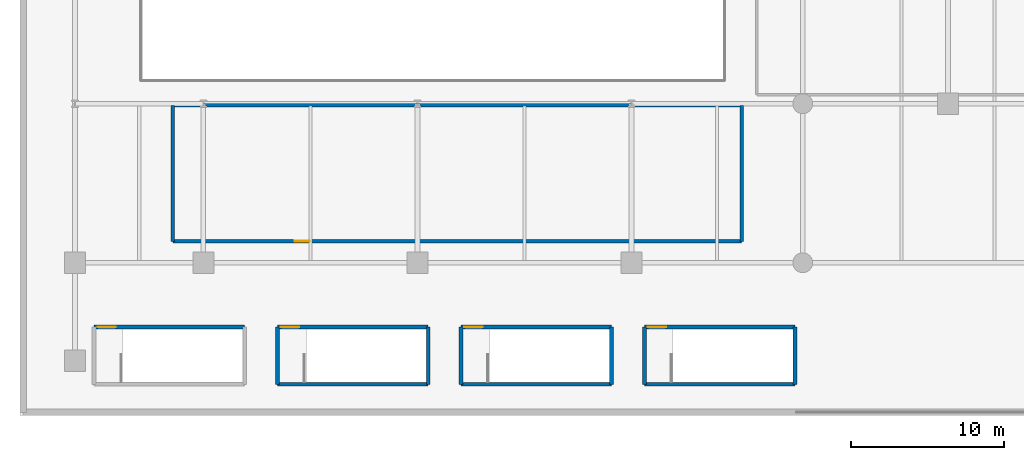
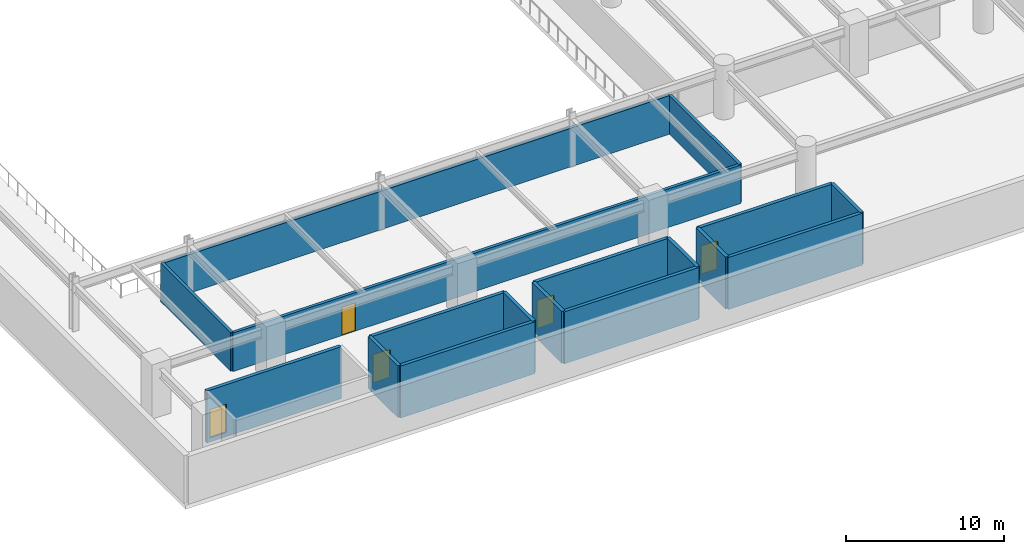
# One storey, part 8 of 20: 17 walls, 5 doors, 5 openings.
"""IFC4 building model written with IfcOpenShell, lengths in metres."""

from ifc_helpers import new_model, si_unit, direction, frame, frame_2d, origin, place, context, subcontext, project, spatial, rectangle, extrude, material, layer, layer_set, type_object, element, fill, save


model = new_model("IFC4")

# Units and contexts
model_context = context("Model", 3, precision=1e-05, world=origin(), true_north=direction((0.0, 1.0)))
body_context = subcontext(model_context, "Body", "Model", "MODEL_VIEW")
ifc_project = project(units=[si_unit("LENGTHUNIT", "METRE"), si_unit("AREAUNIT", "SQUARE_METRE"), si_unit("VOLUMEUNIT", "CUBIC_METRE"), si_unit("PLANEANGLEUNIT", "RADIAN"), si_unit("MASSUNIT", "GRAM", prefix="KILO")], contexts=[model_context])

# Site, building, storey
site_placement = place(None, origin())
site = spatial("IfcSite", under=ifc_project, at=site_placement, CompositionType="ELEMENT")
building_placement = place(site_placement, origin())
building = spatial("IfcBuilding", under=site, at=building_placement, Name="Narakoshi Arena Tower", CompositionType="ELEMENT")
storey_placement = place(building_placement, frame((0.0, 0.0, 17.39990234375)))
storey = spatial("IfcBuildingStorey", under=building, at=storey_placement, Name="L04", CompositionType="ELEMENT", Elevation=17.39990234375)

# Wall, opening, door
ifc_material_1 = material(Name="Concrete C40/50", Category="concrete")
ifc_layer_1 = layer(ifc_material_1, 0.219970703125)
ifc_layer_set_1 = layer_set([ifc_layer_1], Name="Concrete C40/50")
wall_type_1 = type_object("IfcWallType", Name="WL-COMP-220", PredefinedType="SOLIDWALL", material=ifc_layer_set_1)
wall_1_placement = place(storey_placement, frame((10.0, 11.39990234375, 0.0), z_axis=(0.0, 0.0, 1.0), x_axis=(1.0, 0.0, 0.0)))
wall_1 = element("IfcWall", 1, at=wall_1_placement, inside=storey, type_object=wall_type_1, Name="L04 Broadcast Technical Control Workplace Wall S", PredefinedType="SOLIDWALL", context=body_context, shape_type="SweptSolid", body=[
    extrude(rectangle(XDim=37.199951171875, YDim=0.219970703125, at=frame_2d((18.60009765625, 0.0))), origin(), (0.0, 0.0, 1.0), 2.985107421875),
])
opening_1_placement = place(wall_1_placement, frame((7.964111328125, 0.0, 0.0)))
opening_1 = element("IfcOpeningElement", 2, at=opening_1_placement, cuts=wall_1, Name="Opening D-06", PredefinedType="OPENING", context=body_context, shape_type="SweptSolid", body=[
    extrude(rectangle(XDim=1.0, YDim=2.199951171875, at=frame_2d((0.5, 1.10009765625))), frame((0.0, 0.119873046875, 0.0), z_axis=(0.0, -1.0, 0.0), x_axis=(1.0, 0.0, 0.0)), (0.0, 0.0, 1.0), 0.239990234375),
])
ifc_material_2 = material(Name="Stained oak solid-core timber", Category="wood")
door_type_1 = type_object("IfcDoorType", Name="DR-OFF-1000", OperationType="NOTDEFINED", PredefinedType="DOOR", material=ifc_material_2)
door_1_placement = place(opening_1_placement, frame((1.0, 0.0, 0.0), z_axis=(0.0, 0.0, 1.0), x_axis=(-1.0, 0.0, 0.0)))
door_1 = element("IfcDoor", 3, at=door_1_placement, inside=storey, type_object=door_type_1, Name="DR-L04-026", OperationType="SINGLE_SWING_LEFT", OverallHeight=2.199951171875, OverallWidth=1.0, PredefinedType="DOOR", context=body_context, shape_type="SweptSolid", body=[
    extrude(rectangle(XDim=1.0, YDim=2.199951171875, at=frame_2d((0.5, 1.10009765625))), frame((0.0, 0.02490234375, 0.0), z_axis=(0.0, -1.0, 0.0), x_axis=(1.0, 0.0, 0.0)), (0.0, 0.0, 1.0), 0.050048828125),
])
fill(opening_1, door_1)

# Walls
wall_2_placement = place(storey_placement, frame((47.199951171875, 11.39990234375, 0.0), z_axis=(0.0, 0.0, 1.0), x_axis=(0.0, 1.0, 0.0)))
element("IfcWall", 4, at=wall_2_placement, inside=storey, type_object=wall_type_1, Name="L04 Broadcast Technical Control Workplace Wall E", PredefinedType="SOLIDWALL", context=body_context, shape_type="SweptSolid", body=[
    extrude(rectangle(XDim=8.900146484375, YDim=0.219970703125, at=frame_2d((4.4501953125, 0.0))), origin(), (0.0, 0.0, 1.0), 2.985107421875),
])
wall_3_placement = place(storey_placement, frame((47.199951171875, 20.300048828125, 0.0), z_axis=(0.0, 0.0, 1.0), x_axis=(-1.0, 0.0, 0.0)))
element("IfcWall", 5, at=wall_3_placement, inside=storey, type_object=wall_type_1, Name="L04 Broadcast Technical Control Workplace Wall N", PredefinedType="SOLIDWALL", context=body_context, shape_type="SweptSolid", body=[
    extrude(rectangle(XDim=37.199951171875, YDim=0.219970703125, at=frame_2d((18.60009765625, 0.0))), origin(), (0.0, 0.0, 1.0), 2.985107421875),
])
wall_4_placement = place(storey_placement, frame((10.0, 20.300048828125, 0.0), z_axis=(0.0, 0.0, 1.0), x_axis=(0.0, -1.0, 0.0)))
element("IfcWall", 6, at=wall_4_placement, inside=storey, type_object=wall_type_1, Name="L04 Broadcast Technical Control Workplace Wall W", PredefinedType="SOLIDWALL", context=body_context, shape_type="SweptSolid", body=[
    extrude(rectangle(XDim=8.900146484375, YDim=0.219970703125, at=frame_2d((4.4501953125, 0.0))), origin(), (0.0, 0.0, 1.0), 2.985107421875),
])

# Wall, opening, door
ifc_material_3 = material(Name="Concrete C50/60", Category="concrete")
ifc_layer_2 = layer(ifc_material_3, 0.35009765625)
ifc_layer_set_2 = layer_set([ifc_layer_2], Name="Concrete C50/60")
wall_type_2 = type_object("IfcWallType", Name="WL-SHAFT-350", PredefinedType="SOLIDWALL", material=ifc_layer_set_2)
wall_5_placement = place(storey_placement, frame((4.85009765625, 5.800048828125, -0.31982421875), z_axis=(0.0, 0.0, 1.0), x_axis=(1.0, 0.0, 0.0)))
wall_5 = element("IfcWall", 7, at=wall_5_placement, inside=storey, type_object=wall_type_2, Name="L04 AST1 Landing Door Wall", PredefinedType="SOLIDWALL", context=body_context, shape_type="SweptSolid", body=[
    extrude(rectangle(XDim=9.849853515625, YDim=0.25, at=frame_2d((4.9248046875, 0.0))), origin(), (0.0, 0.0, 1.0), 4.02001953125),
])
opening_2_placement = place(wall_5_placement, frame((0.219970703125, 0.0, 0.320068359375)))
opening_2 = element("IfcOpeningElement", 8, at=opening_2_placement, cuts=wall_5, Name="Opening D-03", PredefinedType="OPENING", context=body_context, shape_type="SweptSolid", body=[
    extrude(rectangle(XDim=1.199951171875, YDim=2.199951171875, at=frame_2d((0.60009765625, 1.10009765625))), frame((0.0, 0.135009765625, 0.0), z_axis=(0.0, -1.0, 0.0), x_axis=(1.0, 0.0, 0.0)), (0.0, 0.0, 1.0), 0.27001953125),
])
ifc_material_4 = material(Name="Painted galvanized steel", Category="steel")
door_type_2 = type_object("IfcDoorType", Name="DR-STR-1200", OperationType="NOTDEFINED", PredefinedType="USERDEFINED", material=ifc_material_4)
door_2_placement = place(opening_2_placement, frame((1.199951171875, 0.0, 0.0), z_axis=(0.0, 0.0, 1.0), x_axis=(-1.0, 0.0, 0.0)))
door_2 = element("IfcDoor", 9, at=door_2_placement, inside=storey, type_object=door_type_2, Name="DR-L04-014", ObjectType="EXITDOOR", OperationType="SINGLE_SWING_LEFT", OverallHeight=2.199951171875, OverallWidth=1.199951171875, PredefinedType="USERDEFINED", context=body_context, shape_type="SweptSolid", body=[
    extrude(rectangle(XDim=1.199951171875, YDim=2.199951171875, at=frame_2d((0.60009765625, 1.10009765625))), frame((0.0, 0.02490234375, 0.0), z_axis=(0.0, -1.0, 0.0), x_axis=(1.0, 0.0, 0.0)), (0.0, 0.0, 1.0), 0.050048828125),
])
fill(opening_2, door_2)

# Walls
for number, where, z_axis, x_axis, name in (
    (10, (16.85009765625, 2.050048828125, -0.31982421875), (0.0, 0.0, 1.0), (0.0, 1.0, 0.0), "L04 AST2 Enclosure Wall W"),
    (11, (26.699951171875, 2.050048828125, -0.31982421875), (0.0, 0.0, 1.0), (0.0, 1.0, 0.0), "L04 AST2 Enclosure Wall E"),
):
    element("IfcWall", number, at=place(storey_placement, frame(where, z_axis=z_axis, x_axis=x_axis)), inside=storey, type_object=wall_type_2, Name=name, PredefinedType="SOLIDWALL", context=body_context, shape_type="SweptSolid", body=[
        extrude(rectangle(XDim=3.75, YDim=0.25, at=frame_2d((1.875, 0.0))), origin(), (0.0, 0.0, 1.0), 4.02001953125),
    ])
wall_6_placement = place(storey_placement, frame((16.85009765625, 2.050048828125, -0.31982421875), z_axis=(0.0, 0.0, 1.0), x_axis=(1.0, 0.0, 0.0)))
element("IfcWall", 12, at=wall_6_placement, inside=storey, type_object=wall_type_2, Name="L04 AST2 Enclosure Wall B", PredefinedType="SOLIDWALL", context=body_context, shape_type="SweptSolid", body=[
    extrude(rectangle(XDim=9.849853515625, YDim=0.25, at=frame_2d((4.9248046875, 0.0))), origin(), (0.0, 0.0, 1.0), 4.02001953125),
])

# Wall, opening, door
wall_7_placement = place(storey_placement, frame((16.85009765625, 5.800048828125, -0.31982421875), z_axis=(0.0, 0.0, 1.0), x_axis=(1.0, 0.0, 0.0)))
wall_7 = element("IfcWall", 13, at=wall_7_placement, inside=storey, type_object=wall_type_2, Name="L04 AST2 Landing Door Wall", PredefinedType="SOLIDWALL", context=body_context, shape_type="SweptSolid", body=[
    extrude(rectangle(XDim=9.849853515625, YDim=0.25, at=frame_2d((4.9248046875, 0.0))), origin(), (0.0, 0.0, 1.0), 4.02001953125),
])
opening_3_placement = place(wall_7_placement, frame((0.219970703125, 0.0, 0.320068359375)))
opening_3 = element("IfcOpeningElement", 14, at=opening_3_placement, cuts=wall_7, Name="Opening D-03", PredefinedType="OPENING", context=body_context, shape_type="SweptSolid", body=[
    extrude(rectangle(XDim=1.199951171875, YDim=2.199951171875, at=frame_2d((0.60009765625, 1.10009765625))), frame((0.0, 0.135009765625, 0.0), z_axis=(0.0, -1.0, 0.0), x_axis=(1.0, 0.0, 0.0)), (0.0, 0.0, 1.0), 0.27001953125),
])
door_3_placement = place(opening_3_placement, frame((1.199951171875, 0.0, 0.0), z_axis=(0.0, 0.0, 1.0), x_axis=(-1.0, 0.0, 0.0)))
door_3 = element("IfcDoor", 15, at=door_3_placement, inside=storey, type_object=door_type_2, Name="DR-L04-015", ObjectType="EXITDOOR", OperationType="SINGLE_SWING_RIGHT", OverallHeight=2.199951171875, OverallWidth=1.199951171875, PredefinedType="USERDEFINED", context=body_context, shape_type="SweptSolid", body=[
    extrude(rectangle(XDim=1.199951171875, YDim=2.199951171875, at=frame_2d((0.60009765625, 1.10009765625))), frame((0.0, 0.02490234375, 0.0), z_axis=(0.0, -1.0, 0.0), x_axis=(1.0, 0.0, 0.0)), (0.0, 0.0, 1.0), 0.050048828125),
])
fill(opening_3, door_3)

# Walls
for number, where, z_axis, x_axis, name in (
    (16, (28.85009765625, 2.050048828125, -0.31982421875), (0.0, 0.0, 1.0), (0.0, 1.0, 0.0), "L04 AST3 Enclosure Wall W"),
    (17, (38.699951171875, 2.050048828125, -0.31982421875), (0.0, 0.0, 1.0), (0.0, 1.0, 0.0), "L04 AST3 Enclosure Wall E"),
):
    element("IfcWall", number, at=place(storey_placement, frame(where, z_axis=z_axis, x_axis=x_axis)), inside=storey, type_object=wall_type_2, Name=name, PredefinedType="SOLIDWALL", context=body_context, shape_type="SweptSolid", body=[
        extrude(rectangle(XDim=3.75, YDim=0.25, at=frame_2d((1.875, 0.0))), origin(), (0.0, 0.0, 1.0), 4.02001953125),
    ])
wall_8_placement = place(storey_placement, frame((28.85009765625, 2.050048828125, -0.31982421875), z_axis=(0.0, 0.0, 1.0), x_axis=(1.0, 0.0, 0.0)))
element("IfcWall", 18, at=wall_8_placement, inside=storey, type_object=wall_type_2, Name="L04 AST3 Enclosure Wall B", PredefinedType="SOLIDWALL", context=body_context, shape_type="SweptSolid", body=[
    extrude(rectangle(XDim=9.849853515625, YDim=0.25, at=frame_2d((4.9248046875, 0.0))), origin(), (0.0, 0.0, 1.0), 4.02001953125),
])

# Wall, opening, door
wall_9_placement = place(storey_placement, frame((28.85009765625, 5.800048828125, -0.31982421875), z_axis=(0.0, 0.0, 1.0), x_axis=(1.0, 0.0, 0.0)))
wall_9 = element("IfcWall", 19, at=wall_9_placement, inside=storey, type_object=wall_type_2, Name="L04 AST3 Landing Door Wall", PredefinedType="SOLIDWALL", context=body_context, shape_type="SweptSolid", body=[
    extrude(rectangle(XDim=9.849853515625, YDim=0.25, at=frame_2d((4.9248046875, 0.0))), origin(), (0.0, 0.0, 1.0), 4.02001953125),
])
opening_4_placement = place(wall_9_placement, frame((0.219970703125, 0.0, 0.320068359375)))
opening_4 = element("IfcOpeningElement", 20, at=opening_4_placement, cuts=wall_9, Name="Opening D-03", PredefinedType="OPENING", context=body_context, shape_type="SweptSolid", body=[
    extrude(rectangle(XDim=1.199951171875, YDim=2.199951171875, at=frame_2d((0.60009765625, 1.10009765625))), frame((0.0, 0.135009765625, 0.0), z_axis=(0.0, -1.0, 0.0), x_axis=(1.0, 0.0, 0.0)), (0.0, 0.0, 1.0), 0.27001953125),
])
door_4_placement = place(opening_4_placement, frame((1.199951171875, 0.0, 0.0), z_axis=(0.0, 0.0, 1.0), x_axis=(-1.0, 0.0, 0.0)))
door_4 = element("IfcDoor", 21, at=door_4_placement, inside=storey, type_object=door_type_2, Name="DR-L04-016", ObjectType="EXITDOOR", OperationType="SINGLE_SWING_LEFT", OverallHeight=2.199951171875, OverallWidth=1.199951171875, PredefinedType="USERDEFINED", context=body_context, shape_type="SweptSolid", body=[
    extrude(rectangle(XDim=1.199951171875, YDim=2.199951171875, at=frame_2d((0.60009765625, 1.10009765625))), frame((0.0, 0.02490234375, 0.0), z_axis=(0.0, -1.0, 0.0), x_axis=(1.0, 0.0, 0.0)), (0.0, 0.0, 1.0), 0.050048828125),
])
fill(opening_4, door_4)

# Walls
for number, where, z_axis, x_axis, name in (
    (22, (40.85009765625, 2.050048828125, -0.31982421875), (0.0, 0.0, 1.0), (0.0, 1.0, 0.0), "L04 AST4 Enclosure Wall W"),
    (23, (50.699951171875, 2.050048828125, -0.31982421875), (0.0, 0.0, 1.0), (0.0, 1.0, 0.0), "L04 AST4 Enclosure Wall E"),
):
    element("IfcWall", number, at=place(storey_placement, frame(where, z_axis=z_axis, x_axis=x_axis)), inside=storey, type_object=wall_type_2, Name=name, PredefinedType="SOLIDWALL", context=body_context, shape_type="SweptSolid", body=[
        extrude(rectangle(XDim=3.75, YDim=0.25, at=frame_2d((1.875, 0.0))), origin(), (0.0, 0.0, 1.0), 4.02001953125),
    ])
wall_10_placement = place(storey_placement, frame((40.85009765625, 2.050048828125, -0.31982421875), z_axis=(0.0, 0.0, 1.0), x_axis=(1.0, 0.0, 0.0)))
element("IfcWall", 24, at=wall_10_placement, inside=storey, type_object=wall_type_2, Name="L04 AST4 Enclosure Wall B", PredefinedType="SOLIDWALL", context=body_context, shape_type="SweptSolid", body=[
    extrude(rectangle(XDim=9.849853515625, YDim=0.25, at=frame_2d((4.9248046875, 0.0))), origin(), (0.0, 0.0, 1.0), 4.02001953125),
])

# Wall, opening, door
wall_11_placement = place(storey_placement, frame((40.85009765625, 5.800048828125, -0.31982421875), z_axis=(0.0, 0.0, 1.0), x_axis=(1.0, 0.0, 0.0)))
wall_11 = element("IfcWall", 25, at=wall_11_placement, inside=storey, type_object=wall_type_2, Name="L04 AST4 Landing Door Wall", PredefinedType="SOLIDWALL", context=body_context, shape_type="SweptSolid", body=[
    extrude(rectangle(XDim=9.849853515625, YDim=0.25, at=frame_2d((4.9248046875, 0.0))), origin(), (0.0, 0.0, 1.0), 4.02001953125),
])
opening_5_placement = place(wall_11_placement, frame((0.219970703125, 0.0, 0.320068359375)))
opening_5 = element("IfcOpeningElement", 26, at=opening_5_placement, cuts=wall_11, Name="Opening D-03", PredefinedType="OPENING", context=body_context, shape_type="SweptSolid", body=[
    extrude(rectangle(XDim=1.199951171875, YDim=2.199951171875, at=frame_2d((0.60009765625, 1.10009765625))), frame((0.0, 0.135009765625, 0.0), z_axis=(0.0, -1.0, 0.0), x_axis=(1.0, 0.0, 0.0)), (0.0, 0.0, 1.0), 0.27001953125),
])
door_5_placement = place(opening_5_placement, frame((1.199951171875, 0.0, 0.0), z_axis=(0.0, 0.0, 1.0), x_axis=(-1.0, 0.0, 0.0)))
door_5 = element("IfcDoor", 27, at=door_5_placement, inside=storey, type_object=door_type_2, Name="DR-L04-017", ObjectType="EXITDOOR", OperationType="SINGLE_SWING_RIGHT", OverallHeight=2.199951171875, OverallWidth=1.199951171875, PredefinedType="USERDEFINED", context=body_context, shape_type="SweptSolid", body=[
    extrude(rectangle(XDim=1.199951171875, YDim=2.199951171875, at=frame_2d((0.60009765625, 1.10009765625))), frame((0.0, 0.02490234375, 0.0), z_axis=(0.0, -1.0, 0.0), x_axis=(1.0, 0.0, 0.0)), (0.0, 0.0, 1.0), 0.050048828125),
])
fill(opening_5, door_5)

save(model, "model.ifc")
